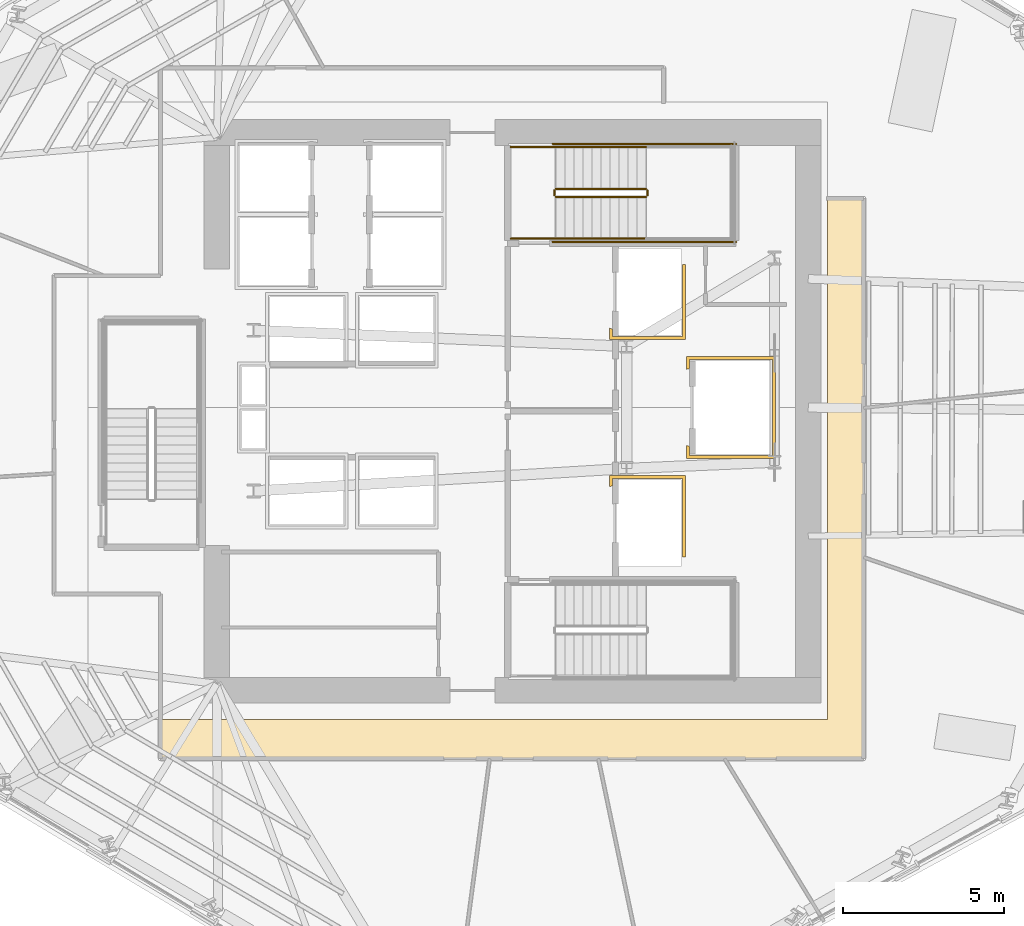
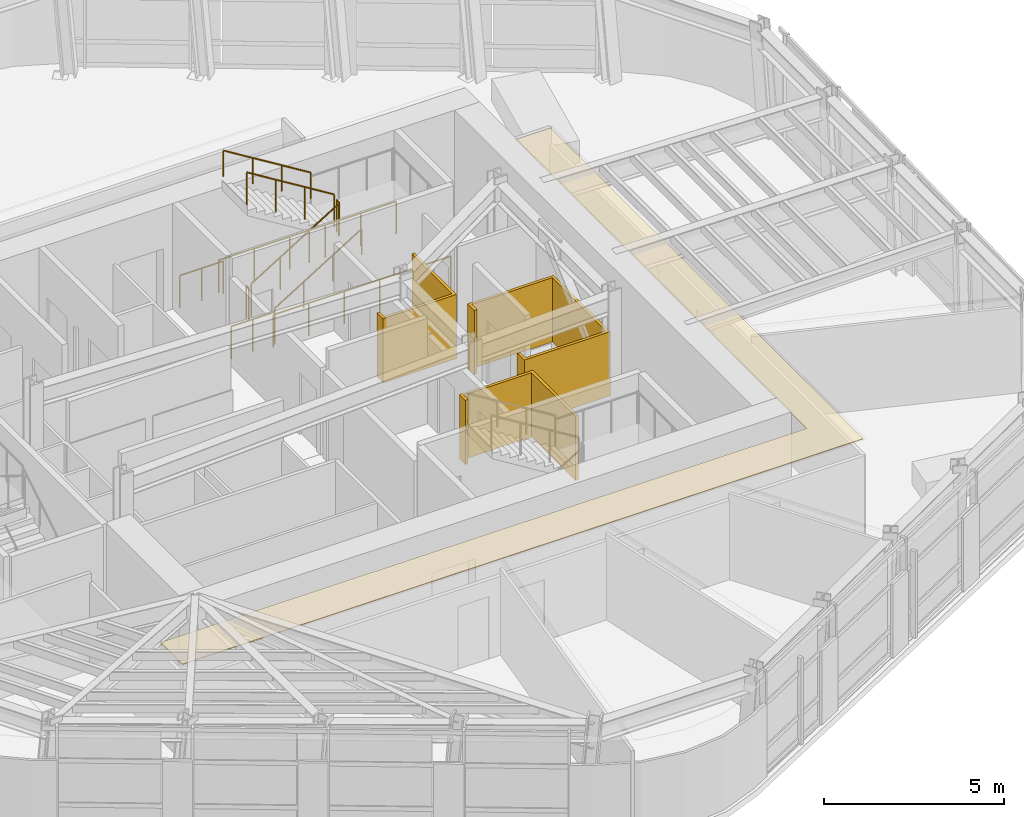
# One storey, part 12 of 14: 10 railings, 4 coverings.
"""IFC4 building model written with IfcOpenShell, lengths in metres."""

from ifc_helpers import new_model, si_unit, direction, frame, origin, origin_2d, place, context, subcontext, project, spatial, polyline, circle, outline, extrude, material, layer, layer_set, type_object, element, save


model = new_model("IFC4")

# Units and contexts
model_context = context("Model", 3, precision=1e-05, world=origin(), true_north=direction((0.0, 1.0)))
body_context = subcontext(model_context, "Body", "Model", "MODEL_VIEW")
ifc_project = project(units=[si_unit("LENGTHUNIT", "METRE"), si_unit("AREAUNIT", "SQUARE_METRE"), si_unit("VOLUMEUNIT", "CUBIC_METRE"), si_unit("PLANEANGLEUNIT", "RADIAN"), si_unit("MASSUNIT", "GRAM", prefix="KILO")], contexts=[model_context])

# Site, building, storey
site_placement = place(None, origin())
site = spatial("IfcSite", under=ifc_project, at=site_placement, CompositionType="ELEMENT")
building_placement = place(site_placement, origin())
building = spatial("IfcBuilding", under=site, at=building_placement, Name="Valkerne Bourse Tower", CompositionType="ELEMENT")
storey_placement = place(building_placement, frame((0.0, 0.0, 147.60009765625)))
storey = spatial("IfcBuildingStorey", under=building, at=storey_placement, Name="L37", CompositionType="ELEMENT", Elevation=147.60009765625)

# Coverings
ifc_material_1 = material(Name="Bronze Anodised Aluminium AA 6063-T6", Category="aluminium")
ifc_layer_1 = layer(ifc_material_1, 0.030029296875)
ifc_layer_set_1 = layer_set([ifc_layer_1], Name="Bronze Anodised Aluminium AA 6063-T6")
covering_type_1 = type_object("IfcCoveringType", Name="COV-CEIL-METAL", PredefinedType="CEILING", material=ifc_layer_set_1)
covering_1_placement = place(storey_placement, frame((0.0, 0.0, 3.22998046875)))
element("IfcCovering", 1, at=covering_1_placement, inside=storey, type_object=covering_type_1, Name="L37 Suspended Ceiling 01", PredefinedType="CEILING", context=body_context, shape_type="SweptSolid", body=[
    extrude(outline(polyline([(35.85400390625, 17.300048828125), (56.60009765625, 17.300048828125), (56.60009765625, 33.49609375), (57.716064453125, 33.49609375), (57.716064453125, 16.083984375), (35.85400390625, 16.083984375), (35.85400390625, 17.300048828125)])), origin(), (0.0, 0.0, 1.0), 0.02490234375),
])
ifc_material_2 = material(Name="Gypsum Shaftwall Liner Board", Category="gypsum")
ifc_layer_2 = layer(ifc_material_2, 0.080078125)
ifc_layer_set_2 = layer_set([ifc_layer_2], Name="Gypsum Shaftwall Liner Board")
covering_type_2 = type_object("IfcCoveringType", Name="COV-SHF-CLAD", PredefinedType="CLADDING", material=ifc_layer_set_2)
covering_2_placement = place(storey_placement, origin())
element("IfcCovering", 2, at=covering_2_placement, inside=storey, type_object=covering_type_2, Name="L37 Hoistway & Riser Shaftwall Liner 05", PredefinedType="CLADDING", context=body_context, shape_type="SweptSolid", body=[
    extrude(outline(polyline([(52.179931640625, 22.35009765625), (52.090087890625, 22.35009765625), (52.090087890625, 24.7900390625), (49.909912109375, 24.7900390625), (49.909912109375, 24.560791015625), (49.869384765625, 24.550537109375), (49.827880859375, 24.53564453125), (49.820068359375, 24.531982421875), (49.820068359375, 24.8798828125), (52.179931640625, 24.8798828125), (52.179931640625, 22.35009765625)])), origin(), (0.0, 0.0, 1.0), 2.179931640625),
])
covering_3_placement = place(storey_placement, origin())
element("IfcCovering", 3, at=covering_3_placement, inside=storey, type_object=covering_type_2, Name="L37 Hoistway & Riser Shaftwall Liner 06", PredefinedType="CLADDING", context=body_context, shape_type="SweptSolid", body=[
    extrude(outline(polyline([(54.97998046875, 25.419921875), (52.219970703125, 25.419921875), (52.219970703125, 25.81787109375), (52.227783203125, 25.814208984375), (52.269287109375, 25.79931640625), (52.31005859375, 25.789306640625), (52.31005859375, 25.510009765625), (54.889892578125, 25.510009765625), (54.889892578125, 28.489990234375), (52.31005859375, 28.489990234375), (52.31005859375, 28.210693359375), (52.269287109375, 28.20068359375), (52.227783203125, 28.185791015625), (52.219970703125, 28.18212890625), (52.219970703125, 28.580078125), (54.97998046875, 28.580078125), (54.97998046875, 25.419921875)])), origin(), (0.0, 0.0, 1.0), 2.179931640625),
])
covering_4_placement = place(storey_placement, origin())
element("IfcCovering", 4, at=covering_4_placement, inside=storey, type_object=covering_type_2, Name="L37 Hoistway & Riser Shaftwall Liner 08", PredefinedType="CLADDING", context=body_context, shape_type="SweptSolid", body=[
    extrude(outline(polyline([(49.820068359375, 29.1201171875), (49.820068359375, 29.468017578125), (49.827880859375, 29.46435546875), (49.869384765625, 29.449462890625), (49.909912109375, 29.439208984375), (49.909912109375, 29.2099609375), (52.090087890625, 29.2099609375), (52.090087890625, 31.449951171875), (52.179931640625, 31.449951171875), (52.179931640625, 29.1201171875), (49.820068359375, 29.1201171875)])), origin(), (0.0, 0.0, 1.0), 2.179931640625),
])

# Railings
ifc_material_3 = material(Name="Galvanised Painted Steel", Category="steel")
railing_type_1 = type_object("IfcRailingType", Name="RLG-ST-GUARD-1120", PredefinedType="GUARDRAIL", material=ifc_material_3)
railing_1_placement = place(storey_placement, frame((48.14990234375, 33.550048828125, 0.172607421875)))
element("IfcRailing", 5, at=railing_1_placement, inside=storey, type_object=railing_type_1, Name="L37 ST-2 stair guard 1", PredefinedType="GUARDRAIL", context=body_context, shape_type="SweptSolid", body=[
    extrude(circle(Radius=0.02392578125, at=origin_2d()), frame((0.0, 0.0, 1.09619140625), z_axis=(0.851089632645, 0.0, 0.525020415988), x_axis=(0.0, 1.0, 0.0)), (0.0, 0.0, 1.0), 3.2900390625),
    extrude(circle(Radius=0.02099609375, at=origin_2d()), origin(), (0.0, 0.0, 1.0), 1.072021484375),
    extrude(circle(Radius=0.02099609375, at=origin_2d()), frame((0.933349609375, 0.0, 0.57568359375)), (0.0, 0.0, 1.0), 1.072021484375),
    extrude(circle(Radius=0.02099609375, at=origin_2d()), frame((1.86669921875, 0.0, 1.151611328125)), (0.0, 0.0, 1.0), 1.072021484375),
    extrude(circle(Radius=0.02099609375, at=origin_2d()), frame((2.800048828125, 0.0, 1.727294921875)), (0.0, 0.0, 1.0), 1.072021484375),
])
railing_2_placement = place(storey_placement, frame((51.0, 33.60009765625, 1.89990234375)))
element("IfcRailing", 6, at=railing_2_placement, inside=storey, type_object=railing_type_1, Name="L37 ST-2 stair guard 2", PredefinedType="GUARDRAIL", context=body_context, shape_type="SweptSolid", body=[
    extrude(circle(Radius=0.02392578125, at=origin_2d()), frame((0.0, 0.0, 1.09619140625), z_axis=(0.0, 1.0, 0.0), x_axis=(-1.0, 0.0, 0.0)), (0.0, 0.0, 1.0), 0.14990234375),
    extrude(circle(Radius=0.02099609375, at=origin_2d()), origin(), (0.0, 0.0, 1.0), 1.072021484375),
    extrude(circle(Radius=0.02099609375, at=origin_2d()), frame((0.0, 0.14990234375, 0.0)), (0.0, 0.0, 1.0), 1.072021484375),
])
railing_3_placement = place(storey_placement, frame((50.949951171875, 33.800048828125, 2.072509765625)))
element("IfcRailing", 7, at=railing_3_placement, inside=storey, type_object=railing_type_1, Name="L37 ST-2 stair guard 6", PredefinedType="GUARDRAIL", context=body_context, shape_type="SweptSolid", body=[
    extrude(circle(Radius=0.02392578125, at=origin_2d()), frame((0.0, 0.0, 1.09619140625), z_axis=(-0.851089632645, 0.0, 0.525020415988), x_axis=(0.0, -1.0, 0.0)), (0.0, 0.0, 1.0), 3.2900390625),
    extrude(circle(Radius=0.02099609375, at=origin_2d()), origin(), (0.0, 0.0, 1.0), 1.072021484375),
    extrude(circle(Radius=0.02099609375, at=origin_2d()), frame((-0.933349609375, 0.0, 0.57568359375)), (0.0, 0.0, 1.0), 1.072021484375),
    extrude(circle(Radius=0.02099609375, at=origin_2d()), frame((-1.86669921875, 0.0, 1.151611328125)), (0.0, 0.0, 1.0), 1.072021484375),
    extrude(circle(Radius=0.02099609375, at=origin_2d()), frame((-2.800048828125, 0.0, 1.727294921875)), (0.0, 0.0, 1.0), 1.072021484375),
])
railing_4_placement = place(storey_placement, frame((48.10009765625, 33.60009765625, 0.0)))
element("IfcRailing", 8, at=railing_4_placement, inside=storey, type_object=railing_type_1, Name="L37 ST-2 stair guard 7", PredefinedType="GUARDRAIL", context=body_context, shape_type="SweptSolid", body=[
    extrude(circle(Radius=0.02392578125, at=origin_2d()), frame((0.0, 0.0, 1.09619140625), z_axis=(0.0, 1.0, 0.0), x_axis=(-1.0, 0.0, 0.0)), (0.0, 0.0, 1.0), 0.14990234375),
    extrude(circle(Radius=0.02099609375, at=origin_2d()), origin(), (0.0, 0.0, 1.0), 1.072021484375),
    extrude(circle(Radius=0.02099609375, at=origin_2d()), frame((0.0, 0.14990234375, 0.0)), (0.0, 0.0, 1.0), 1.072021484375),
])
for number, where, name in (
    (9, (46.75, 32.25, 0.0), "L37 ST-2 stair guard 8"),
    (10, (46.75, 35.10009765625, 0.0), "L37 ST-2 stair guard 9"),
):
    element("IfcRailing", number, at=place(storey_placement, frame(where)), inside=storey, type_object=railing_type_1, Name=name, PredefinedType="GUARDRAIL", context=body_context, shape_type="SweptSolid", body=[
        extrude(circle(Radius=0.02392578125, at=origin_2d()), frame((0.0, 0.0, 1.09619140625), z_axis=(1.0, 0.0, 0.0), x_axis=(0.0, 1.0, 0.0)), (0.0, 0.0, 1.0), 1.39990234375),
        extrude(circle(Radius=0.02099609375, at=origin_2d()), origin(), (0.0, 0.0, 1.0), 1.072021484375),
        extrude(circle(Radius=0.02099609375, at=origin_2d()), frame((0.699951171875, 0.0, 0.0)), (0.0, 0.0, 1.0), 1.072021484375),
        extrude(circle(Radius=0.02099609375, at=origin_2d()), frame((1.39990234375, 0.0, 0.0)), (0.0, 0.0, 1.0), 1.072021484375),
    ])
for number, where, name in (
    (11, (48.050048828125, 32.14990234375, 0.0), "L37 ST-2 stair guard 10"),
    (12, (48.050048828125, 35.199951171875, 0.0), "L37 ST-2 stair guard 11"),
):
    element("IfcRailing", number, at=place(storey_placement, frame(where)), inside=storey, type_object=railing_type_1, Name=name, PredefinedType="GUARDRAIL", context=body_context, shape_type="SweptSolid", body=[
        extrude(circle(Radius=0.02392578125, at=origin_2d()), frame((0.0, 0.0, 1.09619140625), z_axis=(1.0, 0.0, 0.0), x_axis=(0.0, 1.0, 0.0)), (0.0, 0.0, 1.0), 5.699951171875),
        extrude(circle(Radius=0.02099609375, at=origin_2d()), origin(), (0.0, 0.0, 1.0), 1.072021484375),
        extrude(circle(Radius=0.02099609375, at=origin_2d()), frame((1.139892578125, 0.0, 0.0)), (0.0, 0.0, 1.0), 1.072021484375),
        extrude(circle(Radius=0.02099609375, at=origin_2d()), frame((2.280029296875, 0.0, 0.0)), (0.0, 0.0, 1.0), 1.072021484375),
        extrude(circle(Radius=0.02099609375, at=origin_2d()), frame((3.419921875, 0.0, 0.0)), (0.0, 0.0, 1.0), 1.072021484375),
        extrude(circle(Radius=0.02099609375, at=origin_2d()), frame((4.56005859375, 0.0, 0.0)), (0.0, 0.0, 1.0), 1.072021484375),
        extrude(circle(Radius=0.02099609375, at=origin_2d()), frame((5.699951171875, 0.0, 0.0)), (0.0, 0.0, 1.0), 1.072021484375),
    ])
ifc_material_4 = material(Name="Stainless Steel AISI 316", Category="steel")
railing_type_2 = type_object("IfcRailingType", Name="RLG-ST-HANDRAIL-900", PredefinedType="HANDRAIL", material=ifc_material_4)
railing_5_placement = place(storey_placement, frame((48.14990234375, 32.25, 0.345458984375)))
element("IfcRailing", 13, at=railing_5_placement, inside=storey, type_object=railing_type_2, Name="L37 ST-2 stair handrail 1", PredefinedType="HANDRAIL", context=body_context, shape_type="SweptSolid", body=[
    extrude(circle(Radius=0.02392578125, at=origin_2d()), frame((0.0, 0.0, 0.8759765625), z_axis=(0.851122791225, 0.0, 0.524966660138), x_axis=(0.0, 1.0, 0.0)), (0.0, 0.0, 1.0), 3.289794921875),
    extrude(circle(Radius=0.02099609375, at=origin_2d()), origin(), (0.0, 0.0, 1.0), 0.851806640625),
    extrude(circle(Radius=0.02099609375, at=origin_2d()), frame((0.933349609375, 0.0, 0.57568359375)), (0.0, 0.0, 1.0), 0.851806640625),
    extrude(circle(Radius=0.02099609375, at=origin_2d()), frame((1.86669921875, 0.0, 1.1513671875)), (0.0, 0.0, 1.0), 0.851806640625),
    extrude(circle(Radius=0.02099609375, at=origin_2d()), frame((2.800048828125, 0.0, 1.72705078125)), (0.0, 0.0, 1.0), 0.851806640625),
])
railing_6_placement = place(storey_placement, frame((50.949951171875, 35.10009765625, 2.245361328125)))
element("IfcRailing", 14, at=railing_6_placement, inside=storey, type_object=railing_type_2, Name="L37 ST-2 stair handrail 2", PredefinedType="HANDRAIL", context=body_context, shape_type="SweptSolid", body=[
    extrude(circle(Radius=0.02392578125, at=origin_2d()), frame((0.0, 0.0, 0.8759765625), z_axis=(-0.851089632645, 0.0, 0.525020415988), x_axis=(0.0, -1.0, 0.0)), (0.0, 0.0, 1.0), 3.2900390625),
    extrude(circle(Radius=0.02099609375, at=origin_2d()), origin(), (0.0, 0.0, 1.0), 0.851806640625),
    extrude(circle(Radius=0.02099609375, at=origin_2d()), frame((-0.933349609375, 0.0, 0.57568359375)), (0.0, 0.0, 1.0), 0.851806640625),
    extrude(circle(Radius=0.02099609375, at=origin_2d()), frame((-1.86669921875, 0.0, 1.151611328125)), (0.0, 0.0, 1.0), 0.851806640625),
    extrude(circle(Radius=0.02099609375, at=origin_2d()), frame((-2.800048828125, 0.0, 1.727294921875)), (0.0, 0.0, 1.0), 0.851806640625),
])

save(model, "model.ifc")
